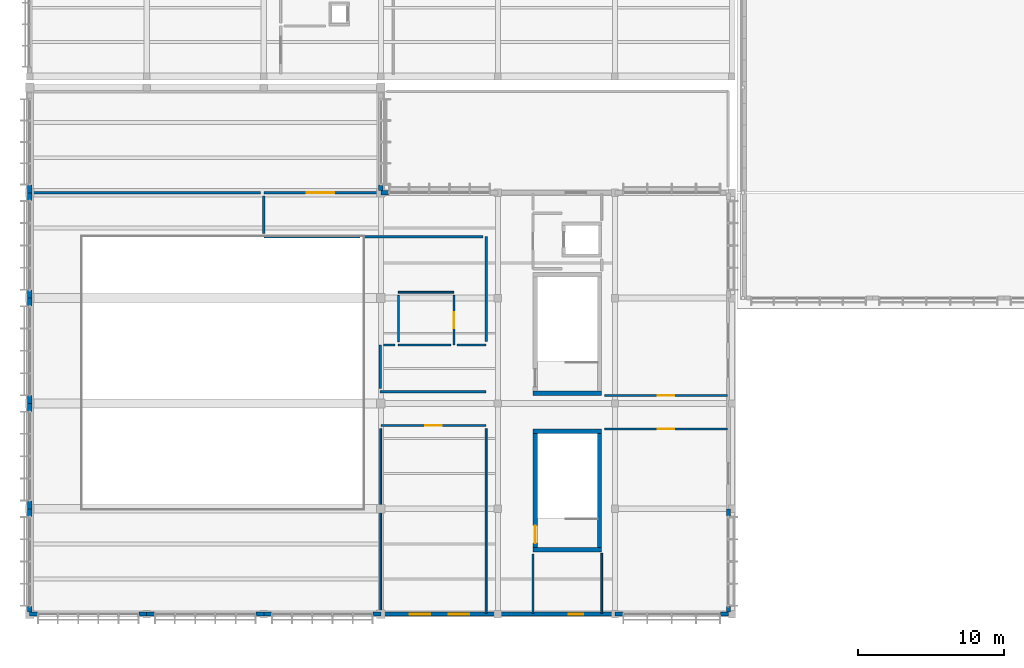
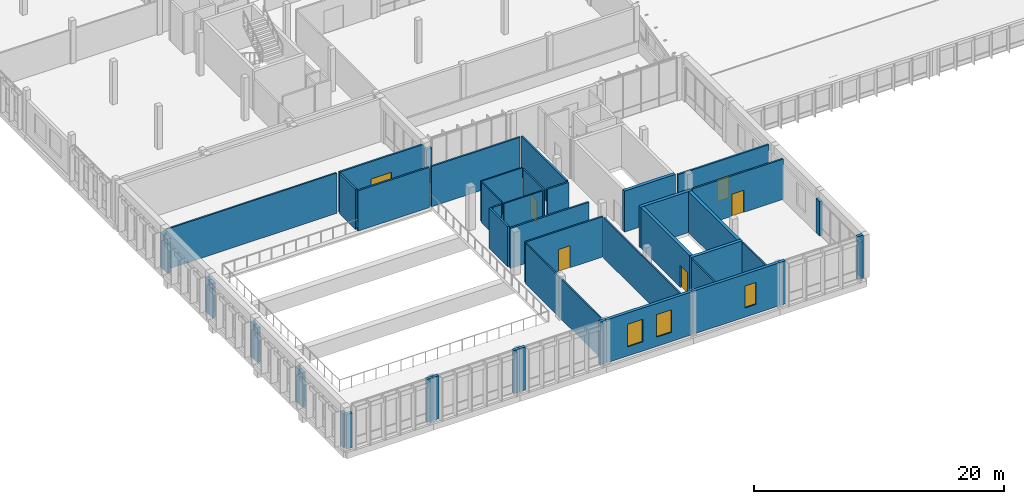
# One storey, part 160 of 182: 49 walls, 6 doors, 3 windows, 9 openings.
"""IFC4 building model written with IfcOpenShell, lengths in metres."""

from ifc_helpers import new_model, si_unit, direction, frame, frame_2d, origin, origin_with_axes, place, context, subcontext, project, spatial, rectangle, extrude, material, layer, layer_set, type_object, element, fill, save


model = new_model("IFC4")

# Units and contexts
model_context = context("Model", 3, precision=1e-05, world=origin(), true_north=direction((0.0, 1.0)))
body_context = subcontext(model_context, "Body", "Model", "MODEL_VIEW")
ifc_project = project(units=[si_unit("LENGTHUNIT", "METRE"), si_unit("AREAUNIT", "SQUARE_METRE"), si_unit("VOLUMEUNIT", "CUBIC_METRE"), si_unit("PLANEANGLEUNIT", "RADIAN"), si_unit("MASSUNIT", "GRAM", prefix="KILO")], contexts=[model_context])

# Site, building, storey
site_placement = place(None, origin())
site = spatial("IfcSite", under=ifc_project, at=site_placement, CompositionType="ELEMENT")
building_placement = place(site_placement, origin())
building = spatial("IfcBuilding", under=site, at=building_placement, Name="Chiffa Square Polytechnic", CompositionType="ELEMENT")
storey_placement = place(building_placement, frame((0.0, 0.0, 9.60009765625)))
storey = spatial("IfcBuildingStorey", under=building, at=storey_placement, Name="L02", CompositionType="ELEMENT", Elevation=9.60009765625)

# Walls
ifc_material_1 = material(Name="Concrete C40/50", Category="concrete")
ifc_layer_1 = layer(ifc_material_1, 0.300048828125, Name="Concrete C40/50")
ifc_layer_set_1 = layer_set([ifc_layer_1], Name="Concrete C40/50")
wall_type_1 = type_object("IfcWallType", Name="WL-CORE-300", PredefinedType="SHEAR", material=ifc_layer_set_1)
for number, where, z_axis, x_axis, name in (
    (1, (34.39990234375, 4.39990234375, 0.0), (0.0, 0.0, 1.0), (1.0, 0.0, 0.0), "Core or enclosure wall WC-CORE-V3A-L02-SOUTH"),
    (2, (34.39990234375, 12.5, 0.0), (0.0, 0.0, 1.0), (1.0, 0.0, 0.0), "Core or enclosure wall WC-CORE-V3A-L02-NORTH"),
):
    element("IfcWall", number, at=place(storey_placement, frame(where, z_axis=z_axis, x_axis=x_axis)), inside=storey, type_object=wall_type_1, Name=name, PredefinedType="SHEAR", context=body_context, shape_type="SweptSolid", body=[
        extrude(rectangle(XDim=4.7001953125, YDim=0.300048828125, at=frame_2d((2.35009765625, 0.0))), origin(), (0.0, 0.0, 1.0), 4.0),
    ])

# Wall, opening, door
wall_1_placement = place(storey_placement, frame((34.550048828125, 4.550048828125, 0.0), z_axis=(0.0, 0.0, 1.0), x_axis=(0.0, 1.0, 0.0)))
wall_1 = element("IfcWall", 3, at=wall_1_placement, inside=storey, type_object=wall_type_1, Name="Core or enclosure wall WC-CORE-V3A-L02-WEST", PredefinedType="SHEAR", context=body_context, shape_type="SweptSolid", body=[
    extrude(rectangle(XDim=7.800048828125, YDim=0.300048828125, at=frame_2d((3.89990234375, 0.0))), origin(), (0.0, 0.0, 1.0), 4.0),
])
opening_1_placement = place(wall_1_placement, frame((0.300048828125, 0.0, 0.0)))
opening_1 = element("IfcOpeningElement", 4, at=opening_1_placement, cuts=wall_1, Name="Opening DS-L02-023", PredefinedType="OPENING", context=body_context, shape_type="SweptSolid", body=[
    extrude(rectangle(XDim=1.199951171875, YDim=2.14990234375, at=frame_2d((0.60009765625, 1.074951171875))), frame((0.0, 0.16015625, 0.0), z_axis=(0.0, -1.0, 0.0), x_axis=(1.0, 0.0, 0.0)), (0.0, 0.0, 1.0), 0.320068359375),
])
ifc_material_2 = material(Name="Fire-rated painted steel leaf", Category="steel")
door_type_1 = type_object("IfcDoorType", Name="DR-STAIR-1200", OperationType="NOTDEFINED", PredefinedType="DOOR", material=ifc_material_2)
door_1_placement = place(opening_1_placement, origin())
door_1 = element("IfcDoor", 5, at=door_1_placement, inside=storey, type_object=door_type_1, Name="Enclosure door DS-L02-023", OperationType="SINGLE_SWING_LEFT", OverallHeight=2.14990234375, OverallWidth=1.199951171875, PredefinedType="DOOR", context=body_context, shape_type="SweptSolid", body=[
    extrude(rectangle(XDim=1.199951171875, YDim=2.14990234375, at=frame_2d((0.60009765625, 1.074951171875))), frame((0.0, 0.02490234375, 0.0), z_axis=(0.0, -1.0, 0.0), x_axis=(1.0, 0.0, 0.0)), (0.0, 0.0, 1.0), 0.050048828125),
])
fill(opening_1, door_1)

# Walls
wall_2_placement = place(storey_placement, frame((38.949951171875, 4.550048828125, 0.0), z_axis=(0.0, 0.0, 1.0), x_axis=(0.0, 1.0, 0.0)))
element("IfcWall", 6, at=wall_2_placement, inside=storey, type_object=wall_type_1, Name="Core or enclosure wall WC-CORE-V3A-L02-EAST", PredefinedType="SHEAR", context=body_context, shape_type="SweptSolid", body=[
    extrude(rectangle(XDim=7.800048828125, YDim=0.300048828125, at=frame_2d((3.89990234375, 0.0))), origin(), (0.0, 0.0, 1.0), 4.0),
])
wall_3_placement = place(storey_placement, frame((34.39990234375, 15.10009765625, 0.0), z_axis=(0.0, 0.0, 1.0), x_axis=(1.0, 0.0, 0.0)))
element("IfcWall", 7, at=wall_3_placement, inside=storey, type_object=wall_type_1, Name="Core or enclosure wall WC-CORE-V3B-L02-SOUTH", PredefinedType="SHEAR", context=body_context, shape_type="SweptSolid", body=[
    extrude(rectangle(XDim=4.7001953125, YDim=0.300048828125, at=frame_2d((2.35009765625, 0.0))), origin(), (0.0, 0.0, 1.0), 4.0),
])
ifc_material_3 = material(Name="Precast concrete C40/50", Category="concrete")
ifc_layer_2 = layer(ifc_material_3, 0.280029296875, Name="Precast concrete C40/50")
ifc_layer_set_2 = layer_set([ifc_layer_2], Name="Precast concrete C40/50")
wall_type_2 = type_object("IfcWallType", Name="WL-EXT-PC280", PredefinedType="SOLIDWALL", material=ifc_layer_set_2)
wall_4_placement = place(storey_placement, origin_with_axes())
element("IfcWall", 8, at=wall_4_placement, inside=storey, type_object=wall_type_2, Name="Facade column pier V3-L02-0165L", PredefinedType="SOLIDWALL", context=body_context, shape_type="SweptSolid", body=[
    extrude(rectangle(XDim=0.5400390625, YDim=0.280029296875, at=frame_2d((0.27001953125, 0.0))), origin(), (0.0, 0.0, 1.0), 3.385009765625),
])
for number, where, z_axis, x_axis, name in (
    (9, (7.4599609375, 0.0, 0.0), (0.0, 0.0, 1.0), (1.0, 0.0, 0.0), "Facade column pier V3-L02-0165R"),
    (10, (8.0, 0.0, 0.0), (0.0, 0.0, 1.0), (1.0, 0.0, 0.0), "Facade column pier V3-L02-0166L"),
    (11, (15.4599609375, 0.0, 0.0), (0.0, 0.0, 1.0), (1.0, 0.0, 0.0), "Facade column pier V3-L02-0166R"),
    (12, (16.0, 0.0, 0.0), (0.0, 0.0, 1.0), (1.0, 0.0, 0.0), "Facade column pier V3-L02-0167L"),
    (13, (23.4599609375, 0.0, 0.0), (0.0, 0.0, 1.0), (1.0, 0.0, 0.0), "Facade column pier V3-L02-0167R"),
):
    element("IfcWall", number, at=place(storey_placement, frame(where, z_axis=z_axis, x_axis=x_axis)), inside=storey, type_object=wall_type_2, Name=name, PredefinedType="SOLIDWALL", context=body_context, shape_type="SweptSolid", body=[
        extrude(rectangle(XDim=0.5400390625, YDim=0.280029296875, at=frame_2d((0.27001953125, 0.0))), origin(), (0.0, 0.0, 1.0), 4.199951171875),
    ])

# Wall, openings, windows
wall_5_placement = place(storey_placement, frame((24.0, 0.0, 0.0), z_axis=(0.0, 0.0, 1.0), x_axis=(1.0, 0.0, 0.0)))
wall_5 = element("IfcWall", 14, at=wall_5_placement, inside=storey, type_object=wall_type_2, Name="Exterior wall WE-V3-L02-0168", PredefinedType="SOLIDWALL", context=body_context, shape_type="SweptSolid", body=[
    extrude(rectangle(XDim=8.0, YDim=0.280029296875, at=frame_2d((4.0, 0.0))), origin(), (0.0, 0.0, 1.0), 4.199951171875),
])
opening_2_placement = place(wall_5_placement, frame((1.967041015625, 0.0, 0.89990234375)))
opening_2 = element("IfcOpeningElement", 15, at=opening_2_placement, cuts=wall_5, Name="Opening W-23", PredefinedType="OPENING", context=body_context, shape_type="SweptSolid", body=[
    extrude(rectangle(XDim=1.39990234375, YDim=2.199951171875, at=frame_2d((0.699951171875, 1.10009765625))), frame((0.0, 0.14990234375, 0.0), z_axis=(0.0, -1.0, 0.0), x_axis=(1.0, 0.0, 0.0)), (0.0, 0.0, 1.0), 0.300048828125),
])
opening_3_placement = place(wall_5_placement, frame((4.633056640625, 0.0, 0.89990234375)))
opening_3 = element("IfcOpeningElement", 16, at=opening_3_placement, cuts=wall_5, Name="Opening W-23", PredefinedType="OPENING", context=body_context, shape_type="SweptSolid", body=[
    extrude(rectangle(XDim=1.39990234375, YDim=2.199951171875, at=frame_2d((0.699951171875, 1.10009765625))), frame((0.0, 0.14990234375, 0.0), z_axis=(0.0, -1.0, 0.0), x_axis=(1.0, 0.0, 0.0)), (0.0, 0.0, 1.0), 0.300048828125),
])
ifc_material_4 = material(Name="Double glazing in thermally broken aluminium frame", Category="aluminium")
window_type_1 = type_object("IfcWindowType", Name="WIN-LEC-1400X2200", PartitioningType="DOUBLE_PANEL_VERTICAL", PredefinedType="WINDOW", material=ifc_material_4)
window_1_placement = place(opening_2_placement, origin())
window_1 = element("IfcWindow", 17, at=window_1_placement, inside=storey, type_object=window_type_1, Name="Facade window WN-L02-0129", OverallHeight=2.199951171875, OverallWidth=1.39990234375, PartitioningType="DOUBLE_PANEL_VERTICAL", PredefinedType="WINDOW", context=body_context, shape_type="SweptSolid", body=[
    extrude(rectangle(XDim=1.39990234375, YDim=2.199951171875, at=frame_2d((0.699951171875, 1.10009765625))), frame((0.0, 0.030029296875, 0.0), z_axis=(0.0, -1.0, 0.0), x_axis=(1.0, 0.0, 0.0)), (0.0, 0.0, 1.0), 0.06005859375),
])
fill(opening_2, window_1)
window_2_placement = place(opening_3_placement, origin())
window_2 = element("IfcWindow", 18, at=window_2_placement, inside=storey, type_object=window_type_1, Name="Facade window WN-L02-0130", OverallHeight=2.199951171875, OverallWidth=1.39990234375, PartitioningType="DOUBLE_PANEL_VERTICAL", PredefinedType="WINDOW", context=body_context, shape_type="SweptSolid", body=[
    extrude(rectangle(XDim=1.39990234375, YDim=2.199951171875, at=frame_2d((0.699951171875, 1.10009765625))), frame((0.0, 0.030029296875, 0.0), z_axis=(0.0, -1.0, 0.0), x_axis=(1.0, 0.0, 0.0)), (0.0, 0.0, 1.0), 0.06005859375),
])
fill(opening_3, window_2)

# Wall, opening, window
wall_6_placement = place(storey_placement, frame((32.0, 0.0, 0.0), z_axis=(0.0, 0.0, 1.0), x_axis=(1.0, 0.0, 0.0)))
wall_6 = element("IfcWall", 19, at=wall_6_placement, inside=storey, type_object=wall_type_2, Name="Exterior wall WE-V3-L02-0169", PredefinedType="SOLIDWALL", context=body_context, shape_type="SweptSolid", body=[
    extrude(rectangle(XDim=8.0, YDim=0.280029296875, at=frame_2d((4.0, 0.0))), origin(), (0.0, 0.0, 1.0), 4.199951171875),
])
opening_4_placement = place(wall_6_placement, frame((4.8330078125, 0.0, 0.89990234375)))
opening_4 = element("IfcOpeningElement", 20, at=opening_4_placement, cuts=wall_6, Name="Opening W-25", PredefinedType="OPENING", context=body_context, shape_type="SweptSolid", body=[
    extrude(rectangle(XDim=1.0, YDim=2.14990234375, at=frame_2d((0.5, 1.074951171875))), frame((0.0, 0.14990234375, 0.0), z_axis=(0.0, -1.0, 0.0), x_axis=(1.0, 0.0, 0.0)), (0.0, 0.0, 1.0), 0.300048828125),
])
window_type_2 = type_object("IfcWindowType", Name="WIN-LEC-1000X2150", PartitioningType="DOUBLE_PANEL_VERTICAL", PredefinedType="WINDOW", material=ifc_material_4)
window_3_placement = place(opening_4_placement, origin())
window_3 = element("IfcWindow", 21, at=window_3_placement, inside=storey, type_object=window_type_2, Name="Facade window WN-L02-0131", OverallHeight=2.14990234375, OverallWidth=1.0, PartitioningType="DOUBLE_PANEL_VERTICAL", PredefinedType="WINDOW", context=body_context, shape_type="SweptSolid", body=[
    extrude(rectangle(XDim=1.0, YDim=2.14990234375, at=frame_2d((0.5, 1.074951171875))), frame((0.0, 0.030029296875, 0.0), z_axis=(0.0, -1.0, 0.0), x_axis=(1.0, 0.0, 0.0)), (0.0, 0.0, 1.0), 0.06005859375),
])
fill(opening_4, window_3)

# Walls
for number, where, z_axis, x_axis, name in (
    (22, (40.0, 0.0, 0.0), (0.0, 0.0, 1.0), (1.0, 0.0, 0.0), "Facade column pier V3-L02-0170L"),
    (23, (47.2099609375, 0.0, 0.0), (0.0, 0.0, 1.0), (1.0, 0.0, 0.0), "Facade column pier V3-L02-0170R"),
):
    element("IfcWall", number, at=place(storey_placement, frame(where, z_axis=z_axis, x_axis=x_axis)), inside=storey, type_object=wall_type_2, Name=name, PredefinedType="SOLIDWALL", context=body_context, shape_type="SweptSolid", body=[
        extrude(rectangle(XDim=0.5400390625, YDim=0.280029296875, at=frame_2d((0.27001953125, 0.0))), origin(), (0.0, 0.0, 1.0), 4.199951171875),
    ])
wall_7_placement = place(storey_placement, frame((47.75, 0.14208984375, 0.0), z_axis=(0.0, 0.0, 1.0), x_axis=(0.0, 1.0, 0.0)))
element("IfcWall", 24, at=wall_7_placement, inside=storey, type_object=wall_type_2, Name="Facade column pier V3-L02-0171L", PredefinedType="SOLIDWALL", context=body_context, shape_type="SweptSolid", body=[
    extrude(rectangle(XDim=0.39794921875, YDim=0.280029296875, at=frame_2d((0.198974609375, 0.0))), origin(), (0.0, 0.0, 1.0), 3.385009765625),
])
for number, where, z_axis, x_axis, name in (
    (25, (47.75, 6.659912109375, 0.0), (0.0, 0.0, 1.0), (0.0, 1.0, 0.0), "Facade column pier V3-L02-0171R"),
    (26, (24.5400390625, 28.800048828125, 0.0), (0.0, 0.0, 1.0), (-1.0, 0.0, 0.0), "Facade column pier V3-L02-0177R"),
):
    element("IfcWall", number, at=place(storey_placement, frame(where, z_axis=z_axis, x_axis=x_axis)), inside=storey, type_object=wall_type_2, Name=name, PredefinedType="SOLIDWALL", context=body_context, shape_type="SweptSolid", body=[
        extrude(rectangle(XDim=0.5400390625, YDim=0.280029296875, at=frame_2d((0.27001953125, 0.0))), origin(), (0.0, 0.0, 1.0), 3.385009765625),
    ])
ifc_layer_3 = layer(ifc_material_3, 0.300048828125, Name="Precast concrete C40/50")
ifc_layer_set_3 = layer_set([ifc_layer_3], Name="Precast concrete C40/50")
wall_type_3 = type_object("IfcWallType", Name="WL-EXT-PC300", PredefinedType="SOLIDWALL", material=ifc_layer_set_3)
wall_8_placement = place(storey_placement, frame((24.0, 28.94189453125, 0.0), z_axis=(0.0, 0.0, 1.0), x_axis=(0.0, 1.0, 0.0)))
element("IfcWall", 27, at=wall_8_placement, inside=storey, type_object=wall_type_3, Name="Facade column pier V3-L02-0178L", PredefinedType="SOLIDWALL", context=body_context, shape_type="SweptSolid", body=[
    extrude(rectangle(XDim=0.398193359375, YDim=0.300048828125, at=frame_2d((0.19921875, 0.0))), origin(), (0.0, 0.0, 1.0), 3.385009765625),
])
for number, where, z_axis, x_axis, name in (
    (28, (0.0, 29.340087890625, 0.0), (0.0, 0.0, 1.0), (0.0, -1.0, 0.0), "Facade column pier V3-L02-0180R"),
    (29, (0.0, 28.800048828125, 0.0), (0.0, 0.0, 1.0), (0.0, -1.0, 0.0), "Facade column pier V3-L02-0181L"),
):
    element("IfcWall", number, at=place(storey_placement, frame(where, z_axis=z_axis, x_axis=x_axis)), inside=storey, type_object=wall_type_3, Name=name, PredefinedType="SOLIDWALL", context=body_context, shape_type="SweptSolid", body=[
        extrude(rectangle(XDim=0.5400390625, YDim=0.300048828125, at=frame_2d((0.27001953125, 0.0))), origin(), (0.0, 0.0, 1.0), 3.385009765625),
    ])
wall_9_placement = place(storey_placement, frame((0.0, 22.139892578125, 0.0), z_axis=(0.0, 0.0, 1.0), x_axis=(0.0, -1.0, 0.0)))
element("IfcWall", 30, at=wall_9_placement, inside=storey, type_object=wall_type_3, Name="Facade column pier V3-L02-0181R", PredefinedType="SOLIDWALL", context=body_context, shape_type="SweptSolid", body=[
    extrude(rectangle(XDim=0.539794921875, YDim=0.300048828125, at=frame_2d((0.27001953125, 0.0))), origin(), (0.0, 0.0, 1.0), 3.385009765625),
])
for number, where, z_axis, x_axis, name in (
    (31, (0.0, 21.60009765625, 0.0), (0.0, 0.0, 1.0), (0.0, -1.0, 0.0), "Facade column pier V3-L02-0182L"),
    (32, (0.0, 14.93994140625, 0.0), (0.0, 0.0, 1.0), (0.0, -1.0, 0.0), "Facade column pier V3-L02-0182R"),
):
    element("IfcWall", number, at=place(storey_placement, frame(where, z_axis=z_axis, x_axis=x_axis)), inside=storey, type_object=wall_type_3, Name=name, PredefinedType="SOLIDWALL", context=body_context, shape_type="SweptSolid", body=[
        extrude(rectangle(XDim=0.5400390625, YDim=0.300048828125, at=frame_2d((0.27001953125, 0.0))), origin(), (0.0, 0.0, 1.0), 3.385009765625),
    ])
wall_10_placement = place(storey_placement, frame((0.0, 14.39990234375, 0.0), z_axis=(0.0, 0.0, 1.0), x_axis=(0.0, -1.0, 0.0)))
element("IfcWall", 33, at=wall_10_placement, inside=storey, type_object=wall_type_3, Name="Facade column pier V3-L02-0183L", PredefinedType="SOLIDWALL", context=body_context, shape_type="SweptSolid", body=[
    extrude(rectangle(XDim=0.539794921875, YDim=0.300048828125, at=frame_2d((0.27001953125, 0.0))), origin(), (0.0, 0.0, 1.0), 3.385009765625),
])
for number, where, z_axis, x_axis, name in (
    (34, (0.0, 7.739990234375, 0.0), (0.0, 0.0, 1.0), (0.0, -1.0, 0.0), "Facade column pier V3-L02-0183R"),
    (35, (0.0, 7.199951171875, 0.0), (0.0, 0.0, 1.0), (0.0, -1.0, 0.0), "Facade column pier V3-L02-0184L"),
):
    element("IfcWall", number, at=place(storey_placement, frame(where, z_axis=z_axis, x_axis=x_axis)), inside=storey, type_object=wall_type_3, Name=name, PredefinedType="SOLIDWALL", context=body_context, shape_type="SweptSolid", body=[
        extrude(rectangle(XDim=0.5400390625, YDim=0.300048828125, at=frame_2d((0.27001953125, 0.0))), origin(), (0.0, 0.0, 1.0), 3.385009765625),
    ])
wall_11_placement = place(storey_placement, frame((0.0, 0.5400390625, 0.0), z_axis=(0.0, 0.0, 1.0), x_axis=(0.0, -1.0, 0.0)))
element("IfcWall", 36, at=wall_11_placement, inside=storey, type_object=wall_type_3, Name="Facade column pier V3-L02-0184R", PredefinedType="SOLIDWALL", context=body_context, shape_type="SweptSolid", body=[
    extrude(rectangle(XDim=0.39794921875, YDim=0.300048828125, at=frame_2d((0.198974609375, 0.0))), origin(), (0.0, 0.0, 1.0), 3.385009765625),
])
ifc_material_5 = material(Name="Gypsum board on steel stud", Category="steel")
ifc_layer_4 = layer(ifc_material_5, 0.125, Name="Gypsum board on steel stud")
ifc_layer_set_4 = layer_set([ifc_layer_4], Name="Gypsum board on steel stud")
wall_type_4 = type_object("IfcWallType", Name="WL-PART-125", PredefinedType="PARTITIONING", material=ifc_layer_set_4)
wall_12_placement = place(storey_placement, frame((24.0, 0.054931640625, 0.0), z_axis=(0.0, 0.0, 1.0), x_axis=(0.0, 1.0, 0.0)))
element("IfcWall", 37, at=wall_12_placement, inside=storey, type_object=wall_type_4, Name="Interior partition WP-V3-L02-0416", PredefinedType="PARTITIONING", context=body_context, shape_type="SweptSolid", body=[
    extrude(rectangle(XDim=12.625, YDim=0.125, at=frame_2d((6.3125, 0.0))), origin(), (0.0, 0.0, 1.0), 3.93994140625),
])
ifc_layer_5 = layer(ifc_material_5, 0.135009765625, Name="Gypsum board on steel stud")
ifc_layer_set_5 = layer_set([ifc_layer_5], Name="Gypsum board on steel stud")
wall_type_5 = type_object("IfcWallType", Name="WL-PART-135", PredefinedType="PARTITIONING", material=ifc_layer_set_5)
wall_13_placement = place(storey_placement, frame((31.199951171875, 0.054931640625, 0.0), z_axis=(0.0, 0.0, 1.0), x_axis=(0.0, 1.0, 0.0)))
element("IfcWall", 38, at=wall_13_placement, inside=storey, type_object=wall_type_5, Name="Interior partition WP-V3-L02-0415", PredefinedType="PARTITIONING", context=body_context, shape_type="SweptSolid", body=[
    extrude(rectangle(XDim=12.625, YDim=0.135009765625, at=frame_2d((6.3125, 0.0))), origin(), (0.0, 0.0, 1.0), 3.93994140625),
])
wall_14_placement = place(storey_placement, frame((39.10009765625, 0.054931640625, 0.0), z_axis=(0.0, 0.0, 1.0), x_axis=(0.0, 1.0, 0.0)))
element("IfcWall", 39, at=wall_14_placement, inside=storey, type_object=wall_type_5, Name="Interior partition WP-V3-L02-0418", PredefinedType="PARTITIONING", context=body_context, shape_type="SweptSolid", body=[
    extrude(rectangle(XDim=4.10498046875, YDim=0.135009765625, at=frame_2d((2.052490234375, 0.0))), origin(), (0.0, 0.0, 1.0), 3.93994140625),
])

# Wall, opening, door
ifc_layer_6 = layer(ifc_material_5, 0.14501953125, Name="Gypsum board on steel stud")
ifc_layer_set_6 = layer_set([ifc_layer_6], Name="Gypsum board on steel stud")
wall_type_6 = type_object("IfcWallType", Name="WL-PART-145", PredefinedType="PARTITIONING", material=ifc_layer_set_6)
wall_15_placement = place(storey_placement, frame((24.0, 12.89990234375, 0.0), z_axis=(0.0, 0.0, 1.0), x_axis=(1.0, 0.0, 0.0)))
wall_15 = element("IfcWall", 40, at=wall_15_placement, inside=storey, type_object=wall_type_6, Name="Interior partition WP-V3-L02-0414", PredefinedType="PARTITIONING", context=body_context, shape_type="SweptSolid", body=[
    extrude(rectangle(XDim=7.199951171875, YDim=0.14501953125, at=frame_2d((3.60009765625, 0.0))), origin(), (0.0, 0.0, 1.0), 3.93994140625),
])
opening_5_placement = place(wall_15_placement, frame((3.050048828125, 0.0, 0.0)))
opening_5 = element("IfcOpeningElement", 41, at=opening_5_placement, cuts=wall_15, Name="Opening DI-L02-168", PredefinedType="OPENING", context=body_context, shape_type="SweptSolid", body=[
    extrude(rectangle(XDim=1.10009765625, YDim=2.14990234375, at=frame_2d((0.550048828125, 1.074951171875))), frame((0.0, 0.08251953125, 0.0), z_axis=(0.0, -1.0, 0.0), x_axis=(1.0, 0.0, 0.0)), (0.0, 0.0, 1.0), 0.1650390625),
])
ifc_material_6 = material(Name="Solid core ash veneer door")
door_type_2 = type_object("IfcDoorType", Name="DR-INT-1100", OperationType="NOTDEFINED", PredefinedType="DOOR", material=ifc_material_6)
door_2_placement = place(opening_5_placement, origin())
door_2 = element("IfcDoor", 42, at=door_2_placement, inside=storey, type_object=door_type_2, Name="Interior room door DI-L02-168", OperationType="SINGLE_SWING_LEFT", OverallHeight=2.14990234375, OverallWidth=1.10009765625, PredefinedType="DOOR", context=body_context, shape_type="SweptSolid", body=[
    extrude(rectangle(XDim=1.10009765625, YDim=2.14990234375, at=frame_2d((0.550048828125, 1.074951171875))), frame((0.0, 0.02490234375, 0.0), z_axis=(0.0, -1.0, 0.0), x_axis=(1.0, 0.0, 0.0)), (0.0, 0.0, 1.0), 0.050048828125),
])
fill(opening_5, door_2)

# Wall
wall_16_placement = place(storey_placement, frame((0.054931640625, 28.800048828125, 0.0), z_axis=(0.0, 0.0, 1.0), x_axis=(1.0, 0.0, 0.0)))
element("IfcWall", 43, at=wall_16_placement, inside=storey, type_object=wall_type_6, Name="Interior partition WP-V3-L02-0435", PredefinedType="PARTITIONING", context=body_context, shape_type="SweptSolid", body=[
    extrude(rectangle(XDim=15.72509765625, YDim=0.14501953125, at=frame_2d((7.862548828125, 0.0))), origin(), (0.0, 0.0, 1.0), 3.93994140625),
])

# Wall, opening, door
ifc_material_7 = material(Name="Gypsum board on acoustic steel stud", Category="steel")
ifc_layer_7 = layer(ifc_material_7, 0.159912109375, Name="Gypsum board on acoustic steel stud")
ifc_layer_set_7 = layer_set([ifc_layer_7], Name="Gypsum board on acoustic steel stud")
wall_type_7 = type_object("IfcWallType", Name="WL-PART-EI60-160", PredefinedType="PARTITIONING", material=ifc_layer_set_7)
wall_17_placement = place(storey_placement, frame((39.287109375, 12.64990234375, 0.0), z_axis=(0.0, 0.0, 1.0), x_axis=(1.0, 0.0, 0.0)))
wall_17 = element("IfcWall", 44, at=wall_17_placement, inside=storey, type_object=wall_type_7, Name="Interior partition WP-V3-L02-0417", PredefinedType="PARTITIONING", context=body_context, shape_type="SweptSolid", body=[
    extrude(rectangle(XDim=8.407958984375, YDim=0.159912109375, at=frame_2d((4.2041015625, 0.0))), origin(), (0.0, 0.0, 1.0), 3.93994140625),
])
opening_6_placement = place(wall_17_placement, frame((3.654052734375, 0.0, 0.0)))
opening_6 = element("IfcOpeningElement", 45, at=opening_6_placement, cuts=wall_17, Name="Opening DI-L02-169", PredefinedType="OPENING", context=body_context, shape_type="SweptSolid", body=[
    extrude(rectangle(XDim=1.10009765625, YDim=2.14990234375, at=frame_2d((0.550048828125, 1.074951171875))), frame((0.0, 0.08984375, 0.0), z_axis=(0.0, -1.0, 0.0), x_axis=(1.0, 0.0, 0.0)), (0.0, 0.0, 1.0), 0.179931640625),
])
door_3_placement = place(opening_6_placement, origin())
door_3 = element("IfcDoor", 46, at=door_3_placement, inside=storey, type_object=door_type_2, Name="Interior room door DI-L02-169", OperationType="SINGLE_SWING_RIGHT", OverallHeight=2.14990234375, OverallWidth=1.10009765625, PredefinedType="DOOR", context=body_context, shape_type="SweptSolid", body=[
    extrude(rectangle(XDim=1.10009765625, YDim=2.14990234375, at=frame_2d((0.550048828125, 1.074951171875))), frame((0.0, 0.02490234375, 0.0), z_axis=(0.0, -1.0, 0.0), x_axis=(1.0, 0.0, 0.0)), (0.0, 0.0, 1.0), 0.050048828125),
])
fill(opening_6, door_3)

wall_18_placement = place(storey_placement, frame((39.287109375, 14.949951171875, 0.0), z_axis=(0.0, 0.0, 1.0), x_axis=(1.0, 0.0, 0.0)))
wall_18 = element("IfcWall", 47, at=wall_18_placement, inside=storey, type_object=wall_type_7, Name="Interior partition WP-V3-L02-0419", PredefinedType="PARTITIONING", context=body_context, shape_type="SweptSolid", body=[
    extrude(rectangle(XDim=8.407958984375, YDim=0.159912109375, at=frame_2d((4.2041015625, 0.0))), origin(), (0.0, 0.0, 1.0), 3.93994140625),
])
opening_7_placement = place(wall_18_placement, frame((3.654052734375, 0.0, 0.0)))
opening_7 = element("IfcOpeningElement", 48, at=opening_7_placement, cuts=wall_18, Name="Opening DI-L02-170", PredefinedType="OPENING", context=body_context, shape_type="SweptSolid", body=[
    extrude(rectangle(XDim=1.10009765625, YDim=2.14990234375, at=frame_2d((0.550048828125, 1.074951171875))), frame((0.0, 0.08984375, 0.0), z_axis=(0.0, -1.0, 0.0), x_axis=(1.0, 0.0, 0.0)), (0.0, 0.0, 1.0), 0.179931640625),
])
door_4_placement = place(opening_7_placement, origin())
door_4 = element("IfcDoor", 49, at=door_4_placement, inside=storey, type_object=door_type_2, Name="Interior room door DI-L02-170", OperationType="SINGLE_SWING_LEFT", OverallHeight=2.14990234375, OverallWidth=1.10009765625, PredefinedType="DOOR", context=body_context, shape_type="SweptSolid", body=[
    extrude(rectangle(XDim=1.10009765625, YDim=2.14990234375, at=frame_2d((0.550048828125, 1.074951171875))), frame((0.0, 0.02490234375, 0.0), z_axis=(0.0, -1.0, 0.0), x_axis=(1.0, 0.0, 0.0)), (0.0, 0.0, 1.0), 0.050048828125),
])
fill(opening_7, door_4)

wall_19_placement = place(storey_placement, frame((16.0, 28.800048828125, 0.0), z_axis=(0.0, 0.0, 1.0), x_axis=(1.0, 0.0, 0.0)))
wall_19 = element("IfcWall", 50, at=wall_19_placement, inside=storey, type_object=wall_type_7, Name="Interior partition WP-V3-L02-0434", PredefinedType="PARTITIONING", context=body_context, shape_type="SweptSolid", body=[
    extrude(rectangle(XDim=7.760009765625, YDim=0.159912109375, at=frame_2d((3.8798828125, 0.0))), origin(), (0.0, 0.0, 1.0), 3.93994140625),
])
opening_8_placement = place(wall_19_placement, frame((2.929931640625, 0.0, 0.0)))
opening_8 = element("IfcOpeningElement", 51, at=opening_8_placement, cuts=wall_19, Name="Opening DI-L02-176", PredefinedType="OPENING", context=body_context, shape_type="SweptSolid", body=[
    extrude(rectangle(XDim=1.89990234375, YDim=2.25, at=frame_2d((0.949951171875, 1.125))), frame((0.0, 0.08984375, 0.0), z_axis=(0.0, -1.0, 0.0), x_axis=(1.0, 0.0, 0.0)), (0.0, 0.0, 1.0), 0.179931640625),
])
ifc_material_8 = material(Name="Acoustic oak auditorium double door")
door_type_3 = type_object("IfcDoorType", Name="DR-LEC-DBL-1900", OperationType="DOUBLE_DOOR_SINGLE_SWING", PredefinedType="DOOR", material=ifc_material_8)
door_5_placement = place(opening_8_placement, origin())
door_5 = element("IfcDoor", 52, at=door_5_placement, inside=storey, type_object=door_type_3, Name="Interior room door DI-L02-176", OperationType="DOUBLE_DOOR_SINGLE_SWING", OverallHeight=2.25, OverallWidth=1.89990234375, PredefinedType="DOOR", context=body_context, shape_type="SweptSolid", body=[
    extrude(rectangle(XDim=1.89990234375, YDim=2.25, at=frame_2d((0.949951171875, 1.125))), frame((0.0, 0.02490234375, 0.0), z_axis=(0.0, -1.0, 0.0), x_axis=(1.0, 0.0, 0.0)), (0.0, 0.0, 1.0), 0.050048828125),
])
fill(opening_8, door_5)

# Walls
wall_20_placement = place(storey_placement, frame((34.39990234375, 0.054931640625, 0.0), z_axis=(0.0, 0.0, 1.0), x_axis=(0.0, 1.0, 0.0)))
element("IfcWall", 53, at=wall_20_placement, inside=storey, type_object=wall_type_7, Name="Interior partition WP-V3-L02-0488", PredefinedType="PARTITIONING", context=body_context, shape_type="SweptSolid", body=[
    extrude(rectangle(XDim=4.053955078125, YDim=0.159912109375, at=frame_2d((2.02685546875, 0.0))), origin(), (0.0, 0.0, 1.0), 3.93994140625),
])
wall_21_placement = place(storey_placement, frame((23.949951171875, 15.199951171875, 0.0), z_axis=(0.0, 0.0, 1.0), x_axis=(1.0, 0.0, 0.0)))
element("IfcWall", 54, at=wall_21_placement, inside=storey, type_object=wall_type_7, Name="Interior partition WP-V3-L02-0489", PredefinedType="PARTITIONING", context=body_context, shape_type="SweptSolid", body=[
    extrude(rectangle(XDim=7.25, YDim=0.159912109375, at=frame_2d((3.625, 0.0))), origin(), (0.0, 0.0, 1.0), 3.93994140625),
])
wall_22_placement = place(storey_placement, frame((23.949951171875, 15.419921875, 0.0), z_axis=(0.0, 0.0, 1.0), x_axis=(0.0, 1.0, 0.0)))
element("IfcWall", 55, at=wall_22_placement, inside=storey, type_object=wall_type_7, Name="Interior partition WP-V3-L02-0490", PredefinedType="PARTITIONING", context=body_context, shape_type="SweptSolid", body=[
    extrude(rectangle(XDim=2.97998046875, YDim=0.159912109375, at=frame_2d((1.489990234375, 0.0))), origin(), (0.0, 0.0, 1.0), 3.93994140625),
])
wall_23_placement = place(storey_placement, frame((24.169921875, 18.39990234375, 0.0), z_axis=(0.0, 0.0, 1.0), x_axis=(1.0, 0.0, 0.0)))
element("IfcWall", 56, at=wall_23_placement, inside=storey, type_object=wall_type_7, Name="Interior partition WP-V3-L02-0491", PredefinedType="PARTITIONING", context=body_context, shape_type="SweptSolid", body=[
    extrude(rectangle(XDim=0.81005859375, YDim=0.159912109375, at=frame_2d((0.405029296875, 0.0))), origin(), (0.0, 0.0, 1.0), 3.93994140625),
])
wall_24_placement = place(storey_placement, frame((29.219970703125, 18.39990234375, 0.0), z_axis=(0.0, 0.0, 1.0), x_axis=(1.0, 0.0, 0.0)))
element("IfcWall", 57, at=wall_24_placement, inside=storey, type_object=wall_type_7, Name="Interior partition WP-V3-L02-0492", PredefinedType="PARTITIONING", context=body_context, shape_type="SweptSolid", body=[
    extrude(rectangle(XDim=1.97998046875, YDim=0.159912109375, at=frame_2d((0.989990234375, 0.0))), origin(), (0.0, 0.0, 1.0), 3.93994140625),
])
wall_25_placement = place(storey_placement, frame((31.199951171875, 18.6201171875, 0.0), z_axis=(0.0, 0.0, 1.0), x_axis=(0.0, 1.0, 0.0)))
element("IfcWall", 58, at=wall_25_placement, inside=storey, type_object=wall_type_7, Name="Interior partition WP-V3-L02-0493", PredefinedType="PARTITIONING", context=body_context, shape_type="SweptSolid", body=[
    extrude(rectangle(XDim=7.179931640625, YDim=0.159912109375, at=frame_2d((3.58984375, 0.0))), origin(), (0.0, 0.0, 1.0), 3.93994140625),
])
wall_26_placement = place(storey_placement, frame((22.800048828125, 25.800048828125, 0.0), z_axis=(0.0, 0.0, 1.0), x_axis=(1.0, 0.0, 0.0)))
element("IfcWall", 59, at=wall_26_placement, inside=storey, type_object=wall_type_7, Name="Interior partition WP-V3-L02-0494", PredefinedType="PARTITIONING", context=body_context, shape_type="SweptSolid", body=[
    extrude(rectangle(XDim=8.179931640625, YDim=0.159912109375, at=frame_2d((4.08984375, 0.0))), origin(), (0.0, 0.0, 1.0), 3.93994140625),
])
wall_27_placement = place(storey_placement, frame((16.0, 25.800048828125, 0.0), z_axis=(0.0, 0.0, 1.0), x_axis=(1.0, 0.0, 0.0)))
element("IfcWall", 60, at=wall_27_placement, inside=storey, type_object=wall_type_7, Name="Interior partition WP-V3-L02-0495", PredefinedType="PARTITIONING", context=body_context, shape_type="SweptSolid", body=[
    extrude(rectangle(XDim=6.580078125, YDim=0.159912109375, at=frame_2d((3.2900390625, 0.0))), origin(), (0.0, 0.0, 1.0), 3.93994140625),
])
wall_28_placement = place(storey_placement, frame((16.0, 26.02001953125, 0.0), z_axis=(0.0, 0.0, 1.0), x_axis=(0.0, 1.0, 0.0)))
element("IfcWall", 61, at=wall_28_placement, inside=storey, type_object=wall_type_7, Name="Interior partition WP-V3-L02-0496", PredefinedType="PARTITIONING", context=body_context, shape_type="SweptSolid", body=[
    extrude(rectangle(XDim=2.56005859375, YDim=0.159912109375, at=frame_2d((1.280029296875, 0.0))), origin(), (0.0, 0.0, 1.0), 3.93994140625),
])
ifc_material_9 = material(Name="Moisture-resistant board partition")
ifc_layer_8 = layer(ifc_material_9, 0.1201171875, Name="Moisture-resistant board partition")
ifc_layer_set_8 = layer_set([ifc_layer_8], Name="Moisture-resistant board partition")
wall_type_8 = type_object("IfcWallType", Name="WL-PART-WC-120", PredefinedType="PARTITIONING", material=ifc_layer_set_8)
wall_29_placement = place(storey_placement, frame((25.199951171875, 22.0, 0.0), z_axis=(0.0, 0.0, 1.0), x_axis=(1.0, 0.0, 0.0)))
element("IfcWall", 62, at=wall_29_placement, inside=storey, type_object=wall_type_8, Name="Interior partition WP-V3-L02-0391", PredefinedType="PARTITIONING", context=body_context, shape_type="SweptSolid", body=[
    extrude(rectangle(XDim=3.800048828125, YDim=0.1201171875, at=frame_2d((1.89990234375, 0.0))), origin(), (0.0, 0.0, 1.0), 3.93994140625),
])

# Wall, opening, door
wall_30_placement = place(storey_placement, frame((29.0, 18.39990234375, 0.0), z_axis=(0.0, 0.0, 1.0), x_axis=(0.0, 1.0, 0.0)))
wall_30 = element("IfcWall", 63, at=wall_30_placement, inside=storey, type_object=wall_type_8, Name="Interior partition WP-V3-L02-0392", PredefinedType="PARTITIONING", context=body_context, shape_type="SweptSolid", body=[
    extrude(rectangle(XDim=3.380126953125, YDim=0.1201171875, at=frame_2d((1.68994140625, 0.0))), origin(), (0.0, 0.0, 1.0), 3.93994140625),
])
opening_9_placement = place(wall_30_placement, frame((1.139892578125, 0.0, 0.0)))
opening_9 = element("IfcOpeningElement", 64, at=opening_9_placement, cuts=wall_30, Name="Opening DI-L02-158", PredefinedType="OPENING", context=body_context, shape_type="SweptSolid", body=[
    extrude(rectangle(XDim=1.10009765625, YDim=2.14990234375, at=frame_2d((0.550048828125, 1.074951171875))), frame((0.0, 0.070068359375, 0.0), z_axis=(0.0, -1.0, 0.0), x_axis=(1.0, 0.0, 0.0)), (0.0, 0.0, 1.0), 0.14013671875),
])
door_6_placement = place(opening_9_placement, origin())
door_6 = element("IfcDoor", 65, at=door_6_placement, inside=storey, type_object=door_type_2, Name="Interior room door DI-L02-158", OperationType="SINGLE_SWING_LEFT", OverallHeight=2.14990234375, OverallWidth=1.10009765625, PredefinedType="DOOR", context=body_context, shape_type="SweptSolid", body=[
    extrude(rectangle(XDim=1.10009765625, YDim=2.14990234375, at=frame_2d((0.550048828125, 1.074951171875))), frame((0.0, 0.02490234375, 0.0), z_axis=(0.0, -1.0, 0.0), x_axis=(1.0, 0.0, 0.0)), (0.0, 0.0, 1.0), 0.050048828125),
])
fill(opening_9, door_6)

# Walls
wall_31_placement = place(storey_placement, frame((25.199951171875, 18.39990234375, 0.0), z_axis=(0.0, 0.0, 1.0), x_axis=(1.0, 0.0, 0.0)))
element("IfcWall", 66, at=wall_31_placement, inside=storey, type_object=wall_type_8, Name="Interior partition WP-V3-L02-0393", PredefinedType="PARTITIONING", context=body_context, shape_type="SweptSolid", body=[
    extrude(rectangle(XDim=3.580078125, YDim=0.1201171875, at=frame_2d((1.7900390625, 0.0))), origin(), (0.0, 0.0, 1.0), 3.93994140625),
])
wall_32_placement = place(storey_placement, frame((25.199951171875, 18.6201171875, 0.0), z_axis=(0.0, 0.0, 1.0), x_axis=(0.0, 1.0, 0.0)))
element("IfcWall", 67, at=wall_32_placement, inside=storey, type_object=wall_type_8, Name="Interior partition WP-V3-L02-0394", PredefinedType="PARTITIONING", context=body_context, shape_type="SweptSolid", body=[
    extrude(rectangle(XDim=3.159912109375, YDim=0.1201171875, at=frame_2d((1.580078125, 0.0))), origin(), (0.0, 0.0, 1.0), 3.93994140625),
])

save(model, "model.ifc")
